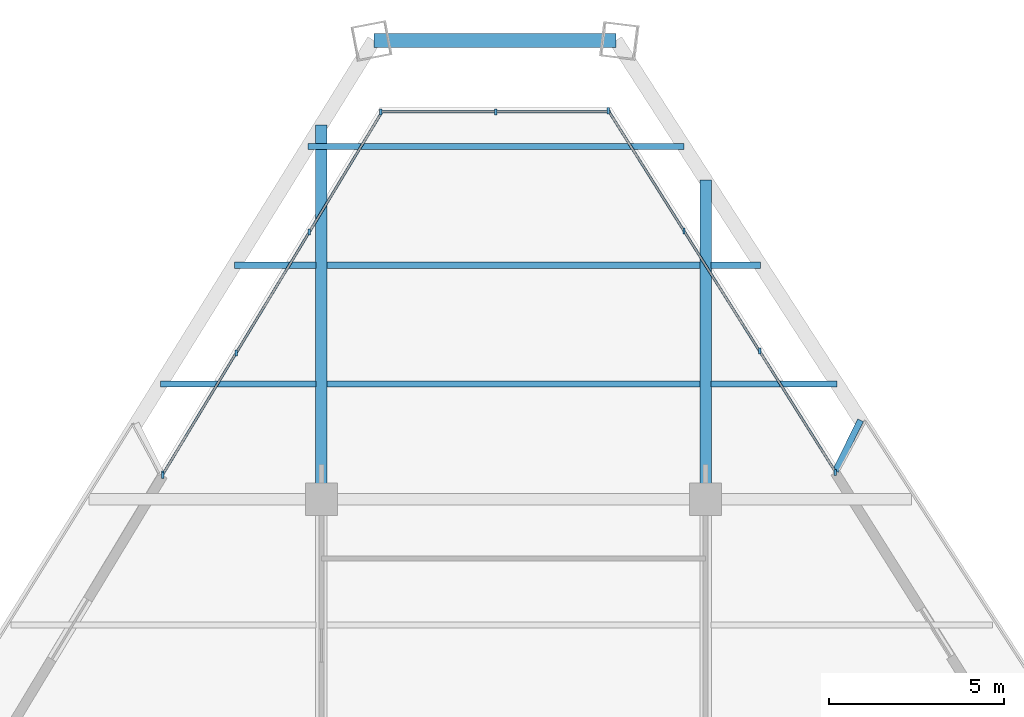
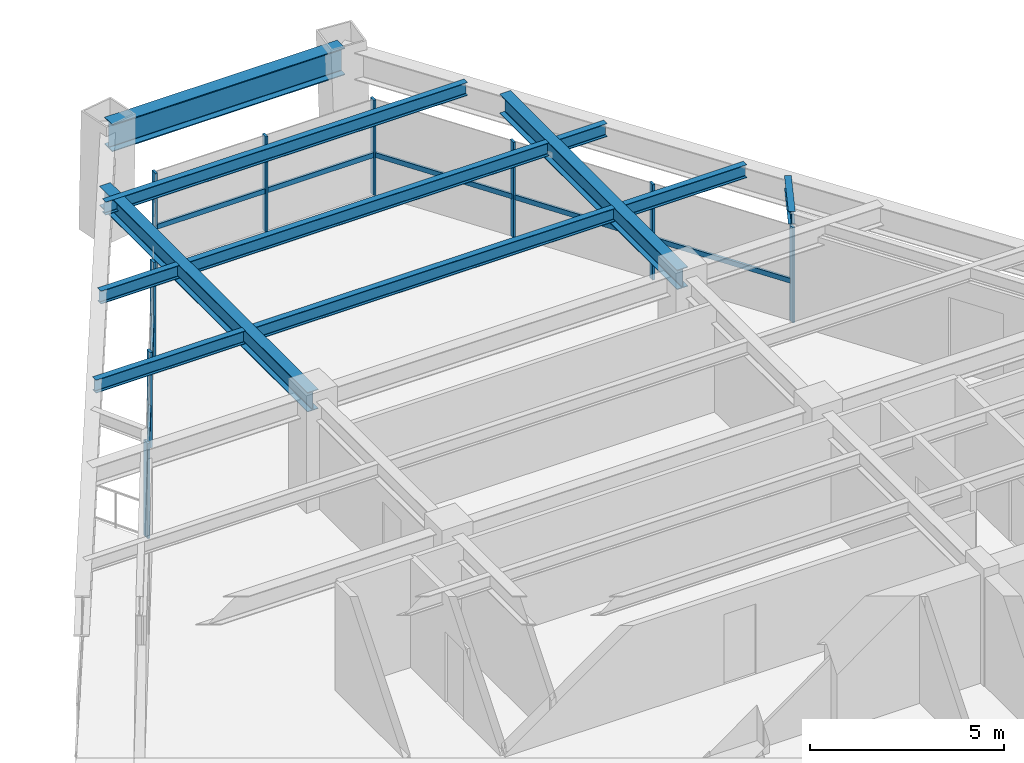
# One storey, part 6 of 12: 18 members, 11 beams, 3 elements without a shape of their own.
"""IFC4 building model written with IfcOpenShell, lengths in metres."""

from ifc_helpers import new_model, si_unit, direction, frame, origin, origin_2d, place, context, subcontext, project, spatial, rectangle, i_section, extrude, source, transform, mapped, material, material_profile, profile_set, type_object, element, aggregate, save


model = new_model("IFC4")

# Units and contexts
model_context = context("Model", 3, precision=1e-05, world=origin(), true_north=direction((0.0, 1.0)))
body_context = subcontext(model_context, "Body", "Model", "MODEL_VIEW")
ifc_project = project(units=[si_unit("LENGTHUNIT", "METRE"), si_unit("AREAUNIT", "SQUARE_METRE"), si_unit("VOLUMEUNIT", "CUBIC_METRE"), si_unit("PLANEANGLEUNIT", "RADIAN"), si_unit("MASSUNIT", "GRAM", prefix="KILO")], contexts=[model_context])

# Site, building, storey
site_placement = place(None, origin())
site = spatial("IfcSite", under=ifc_project, at=site_placement, CompositionType="ELEMENT")
building_placement = place(site_placement, origin())
building = spatial("IfcBuilding", under=site, at=building_placement, Name="Varnakhor Terracotta Tower", CompositionType="ELEMENT")
storey_placement = place(building_placement, frame((0.0, 0.0, 211.699951171875)))
storey = spatial("IfcBuildingStorey", under=building, at=storey_placement, Name="L54", CompositionType="ELEMENT", Elevation=211.699951171875)

# Beams
ifc_material_1 = material(Name="Steel S355", Category="steel")
ifc_material_profile_1 = material_profile(ifc_material_1, i_section(OverallWidth=0.179931640625, OverallDepth=0.4130859375, WebThickness=0.009765625, FlangeThickness=0.01611328125, FilletRadius=0.01806640625, at=origin_2d()), Name="W16X50")
ifc_profile_set_1 = profile_set([ifc_material_profile_1], Name="Steel S355")
beam_type_1 = type_object("IfcBeamType", Name="JST-W16X50", PredefinedType="JOIST", material=ifc_profile_set_1)
shared_shape_1 = source(origin(), body_context, "Body", "SweptSolid", [
    extrude(i_section(OverallWidth=0.179931640625, OverallDepth=0.4130859375, WebThickness=0.009765625, FlangeThickness=0.01611328125, FilletRadius=0.01806640625, at=origin_2d()), origin(), (0.0, 0.0, 1.0), 10.68310546875),
])
for number, where, z_axis, x_axis, name in (
    (1, (-5.341552734375, 34.800048828125, 3.213623046875), (1.0, 0.0, 0.0), (0.0, 1.0, 0.0), "L54 Composite Floor Joist 7-2"),
    (2, (-5.341552734375, 38.199951171875, 3.213623046875), (1.0, 0.0, 0.0), (0.0, 1.0, 0.0), "L54 Composite Floor Joist 8-2"),
):
    element("IfcBeam", number, at=place(storey_placement, frame(where, z_axis=z_axis, x_axis=x_axis)), inside=storey, type_object=beam_type_1, Name=name, PredefinedType="JOIST", context=body_context, shape_type="MappedRepresentation", body=[
        mapped(shared_shape_1, transform((0.0, 0.0, 0.0), scale=1.0)),
    ])
ifc_material_profile_2 = material_profile(ifc_material_1, i_section(OverallWidth=0.39990234375, OverallDepth=0.85498046875, WebThickness=0.01806640625, FlangeThickness=0.029052734375, FilletRadius=0.01806640625, at=origin_2d()), Name="W33X201")
ifc_profile_set_2 = profile_set([ifc_material_profile_2], Name="Steel S355")
beam_type_2 = type_object("IfcBeamType", Name="BM-W33X201", PredefinedType="BEAM", material=ifc_profile_set_2)
shared_shape_2 = source(origin(), body_context, "Body", "SweptSolid", [
    extrude(i_section(OverallWidth=0.39990234375, OverallDepth=0.85498046875, WebThickness=0.01806640625, FlangeThickness=0.029052734375, FilletRadius=0.01806640625, at=origin_2d()), origin(), (0.0, 0.0, 1.0), 6.927734375),
])
beam_1_placement = place(storey_placement, frame((2.92822265625, 44.6376953125, 2.992431640625), z_axis=(-1.0, 0.0, 0.0), x_axis=(0.0, -1.0, 0.0)))
element("IfcBeam", 3, at=beam_1_placement, inside=storey, type_object=beam_type_2, Name="L54 Perimeter Spandrel 5", PredefinedType="BEAM", context=body_context, shape_type="MappedRepresentation", body=[
    mapped(shared_shape_2, transform((0.0, 0.0, 0.0), scale=1.0)),
])
ifc_material_profile_3 = material_profile(ifc_material_1, i_section(OverallWidth=0.324951171875, OverallDepth=0.615966796875, WebThickness=0.013916015625, FlangeThickness=0.02197265625, FilletRadius=0.01806640625, at=origin_2d()), Name="W24X117")
ifc_profile_set_3 = profile_set([ifc_material_profile_3], Name="Steel S355")
beam_type_3 = type_object("IfcBeamType", Name="BM-W24X117", PredefinedType="BEAM", material=ifc_profile_set_3)
shared_shape_3 = source(origin(), body_context, "Body", "SweptSolid", [
    extrude(i_section(OverallWidth=0.324951171875, OverallDepth=0.615966796875, WebThickness=0.013916015625, FlangeThickness=0.02197265625, FilletRadius=0.01806640625, at=origin_2d()), origin(), (0.0, 0.0, 1.0), 10.719482421875),
])
beam_2_placement = place(storey_placement, frame((-5.5, 31.5, 3.112060546875), z_axis=(0.0, 1.0, 0.0), x_axis=(-1.0, 0.0, 0.0)))
element("IfcBeam", 4, at=beam_2_placement, inside=storey, type_object=beam_type_3, Name="L54 Primary Girder NS3-W", PredefinedType="BEAM", context=body_context, shape_type="MappedRepresentation", body=[
    mapped(shared_shape_3, transform((0.0, 0.0, 0.0), scale=1.0)),
])
shared_shape_4 = source(origin(), body_context, "Body", "SweptSolid", [
    extrude(i_section(OverallWidth=0.324951171875, OverallDepth=0.615966796875, WebThickness=0.013916015625, FlangeThickness=0.02197265625, FilletRadius=0.01806640625, at=origin_2d()), origin(), (0.0, 0.0, 1.0), 9.1474609375),
])
beam_3_placement = place(storey_placement, frame((5.5, 31.5, 3.112060546875), z_axis=(0.0, 1.0, 0.0), x_axis=(-1.0, 0.0, 0.0)))
element("IfcBeam", 5, at=beam_3_placement, inside=storey, type_object=beam_type_3, Name="L54 Primary Girder NS3-E", PredefinedType="BEAM", context=body_context, shape_type="MappedRepresentation", body=[
    mapped(shared_shape_4, transform((0.0, 0.0, 0.0), scale=1.0)),
])
shared_shape_5 = source(origin(), body_context, "Body", "SweptSolid", [
    extrude(i_section(OverallWidth=0.179931640625, OverallDepth=0.4130859375, WebThickness=0.009765625, FlangeThickness=0.01611328125, FilletRadius=0.01806640625, at=origin_2d()), origin(), (0.0, 0.0, 1.0), 4.445556640625),
])
beam_4_placement = place(storey_placement, frame((-10.10400390625, 34.800048828125, 3.213623046875), z_axis=(1.0, 0.0, 0.0), x_axis=(0.0, 1.0, 0.0)))
element("IfcBeam", 6, at=beam_4_placement, inside=storey, type_object=beam_type_1, Name="L54 Composite Floor Joist 7-1", PredefinedType="JOIST", context=body_context, shape_type="MappedRepresentation", body=[
    mapped(shared_shape_5, transform((0.0, 0.0, 0.0), scale=1.0)),
])
shared_shape_6 = source(origin(), body_context, "Body", "SweptSolid", [
    extrude(i_section(OverallWidth=0.179931640625, OverallDepth=0.4130859375, WebThickness=0.009765625, FlangeThickness=0.01611328125, FilletRadius=0.01806640625, at=origin_2d()), origin(), (0.0, 0.0, 1.0), 3.6103515625),
])
beam_5_placement = place(storey_placement, frame((5.658447265625, 34.800048828125, 3.213623046875), z_axis=(1.0, 0.0, 0.0), x_axis=(0.0, 1.0, 0.0)))
element("IfcBeam", 7, at=beam_5_placement, inside=storey, type_object=beam_type_1, Name="L54 Composite Floor Joist 7-3", PredefinedType="JOIST", context=body_context, shape_type="MappedRepresentation", body=[
    mapped(shared_shape_6, transform((0.0, 0.0, 0.0), scale=1.0)),
])
shared_shape_7 = source(origin(), body_context, "Body", "SweptSolid", [
    extrude(i_section(OverallWidth=0.179931640625, OverallDepth=0.4130859375, WebThickness=0.009765625, FlangeThickness=0.01611328125, FilletRadius=0.01806640625, at=origin_2d()), origin(), (0.0, 0.0, 1.0), 2.335693359375),
])
beam_6_placement = place(storey_placement, frame((-7.994140625, 38.199951171875, 3.213623046875), z_axis=(1.0, 0.0, 0.0), x_axis=(0.0, 1.0, 0.0)))
element("IfcBeam", 8, at=beam_6_placement, inside=storey, type_object=beam_type_1, Name="L54 Composite Floor Joist 8-1", PredefinedType="JOIST", context=body_context, shape_type="MappedRepresentation", body=[
    mapped(shared_shape_7, transform((0.0, 0.0, 0.0), scale=1.0)),
])
shared_shape_8 = source(origin(), body_context, "Body", "SweptSolid", [
    extrude(i_section(OverallWidth=0.179931640625, OverallDepth=0.4130859375, WebThickness=0.009765625, FlangeThickness=0.01611328125, FilletRadius=0.01806640625, at=origin_2d()), origin(), (0.0, 0.0, 1.0), 1.4189453125),
])
beam_7_placement = place(storey_placement, frame((5.658447265625, 38.199951171875, 3.213623046875), z_axis=(1.0, 0.0, 0.0), x_axis=(0.0, 1.0, 0.0)))
element("IfcBeam", 9, at=beam_7_placement, inside=storey, type_object=beam_type_1, Name="L54 Composite Floor Joist 8-3", PredefinedType="JOIST", context=body_context, shape_type="MappedRepresentation", body=[
    mapped(shared_shape_8, transform((0.0, 0.0, 0.0), scale=1.0)),
])
shared_shape_9 = source(origin(), body_context, "Body", "SweptSolid", [
    extrude(i_section(OverallWidth=0.179931640625, OverallDepth=0.4130859375, WebThickness=0.009765625, FlangeThickness=0.01611328125, FilletRadius=0.01806640625, at=origin_2d()), origin(), (0.0, 0.0, 1.0), 10.7705078125),
])
beam_8_placement = place(storey_placement, frame((-5.884521484375, 41.60009765625, 3.213623046875), z_axis=(1.0, 0.0, 0.0), x_axis=(0.0, 1.0, 0.0)))
element("IfcBeam", 10, at=beam_8_placement, inside=storey, type_object=beam_type_1, Name="L54 Composite Floor Joist 9-1", PredefinedType="JOIST", context=body_context, shape_type="MappedRepresentation", body=[
    mapped(shared_shape_9, transform((0.0, 0.0, 0.0), scale=1.0)),
])

# Curtain wall, members
ifc_material_2 = material(Name="Anodised Aluminium Curtain Wall System", Category="aluminium")
curtain_wall_type = type_object("IfcCurtainWallType", Name="CW-SYS-MID-OFFICE", PredefinedType="NOTDEFINED", material=ifc_material_2)
curtain_wall_1_placement = place(storey_placement, origin())
curtain_wall_1 = element("IfcCurtainWall", 11, at=curtain_wall_1_placement, inside=storey, type_object=curtain_wall_type, Name="L54 W Facet Curtain Wall 2", PredefinedType="NOTDEFINED")
ifc_material_3 = material(Name="Anodised Aluminium 6063-T6", Category="aluminium")
ifc_material_profile_4 = material_profile(ifc_material_3, rectangle(XDim=0.070068359375, YDim=0.175048828125, at=origin_2d()), Name="ALU MULLION 70x175")
ifc_profile_set_4 = profile_set([ifc_material_profile_4], Name="Anodised Aluminium 6063-T6")
member_type_1 = type_object("IfcMemberType", Name="CWM-03", PredefinedType="MULLION", material=ifc_profile_set_4)
shared_shape_10 = source(origin(), body_context, "Body", "SweptSolid", [
    extrude(rectangle(XDim=0.070068359375, YDim=0.175048828125, at=origin_2d()), origin(), (0.0, 0.0, 1.0), 3.0),
])
member_1_placement = place(storey_placement, frame((-10.0380859375, 32.21728515625, 0.0), z_axis=(0.0, 0.0, 1.0), x_axis=(1.0, 0.0, 0.0)))
member_1 = element("IfcMember", 12, at=member_1_placement, type_object=member_type_1, Name="L54 W Facet Curtain Wall 2 Mullion 1", PredefinedType="MULLION", context=body_context, shape_type="MappedRepresentation", body=[
    mapped(shared_shape_10, transform((0.0, 0.0, 0.0), scale=1.0)),
])
member_2_placement = place(storey_placement, frame((-7.940185546875, 35.686767578125, 0.0), z_axis=(0.0, 0.0, 1.0), x_axis=(1.0, 0.0, 0.0)))
member_2 = element("IfcMember", 13, at=member_2_placement, type_object=member_type_1, Name="L54 W Facet Curtain Wall 2 Mullion 2", PredefinedType="MULLION", context=body_context, shape_type="MappedRepresentation", body=[
    mapped(shared_shape_10, transform((0.0, 0.0, 0.0), scale=1.0)),
])
member_3_placement = place(storey_placement, frame((-5.842041015625, 39.15625, 0.0), z_axis=(0.0, 0.0, 1.0), x_axis=(1.0, 0.0, 0.0)))
member_3 = element("IfcMember", 14, at=member_3_placement, type_object=member_type_1, Name="L54 W Facet Curtain Wall 2 Mullion 3", PredefinedType="MULLION", context=body_context, shape_type="MappedRepresentation", body=[
    mapped(shared_shape_10, transform((0.0, 0.0, 0.0), scale=1.0)),
])
member_4_placement = place(storey_placement, frame((-10.03662109375, 32.18115234375, 0.0), z_axis=(0.0, 0.0, 1.0), x_axis=(1.0, 0.0, 0.0)))
member_4 = element("IfcMember", 15, at=member_4_placement, type_object=member_type_1, Name="L54 W Loggia Jamb Closure Mullion 2", PredefinedType="MULLION", context=body_context, shape_type="MappedRepresentation", body=[
    mapped(shared_shape_10, transform((0.0, 0.0, 0.0), scale=1.0)),
])

curtain_wall_2_placement = place(storey_placement, origin())
curtain_wall_2 = element("IfcCurtainWall", 16, at=curtain_wall_2_placement, inside=storey, type_object=curtain_wall_type, Name="L54 Facet Curtain Wall 2", PredefinedType="NOTDEFINED")
member_5_placement = place(storey_placement, frame((-3.801025390625, 42.593505859375, 0.0), z_axis=(0.0, 0.0, 1.0), x_axis=(1.0, 0.0, 0.0)))
member_5 = element("IfcMember", 17, at=member_5_placement, type_object=member_type_1, Name="L54 Facet Curtain Wall 2 Mullion 1", PredefinedType="MULLION", context=body_context, shape_type="MappedRepresentation", body=[
    mapped(shared_shape_10, transform((0.0, 0.0, 0.0), scale=1.0)),
])
member_6_placement = place(storey_placement, frame((-0.513427734375, 42.593505859375, 0.0), z_axis=(0.0, 0.0, 1.0), x_axis=(1.0, 0.0, 0.0)))
member_6 = element("IfcMember", 18, at=member_6_placement, type_object=member_type_1, Name="L54 Facet Curtain Wall 2 Mullion 2", PredefinedType="MULLION", context=body_context, shape_type="MappedRepresentation", body=[
    mapped(shared_shape_10, transform((0.0, 0.0, 0.0), scale=1.0)),
])

curtain_wall_3_placement = place(storey_placement, origin())
curtain_wall_3 = element("IfcCurtainWall", 19, at=curtain_wall_3_placement, inside=storey, type_object=curtain_wall_type, Name="L54 E Facet Curtain Wall 1", PredefinedType="NOTDEFINED")
member_7_placement = place(storey_placement, frame((2.718505859375, 42.6240234375, 0.0), z_axis=(0.0, 0.0, 1.0), x_axis=(1.0, 0.0, 0.0)))
member_7 = element("IfcMember", 20, at=member_7_placement, type_object=member_type_1, Name="L54 E Facet Curtain Wall 1 Mullion 1", PredefinedType="MULLION", context=body_context, shape_type="MappedRepresentation", body=[
    mapped(shared_shape_10, transform((0.0, 0.0, 0.0), scale=1.0)),
])
member_8_placement = place(storey_placement, frame((4.882080078125, 39.18310546875, 0.0), z_axis=(0.0, 0.0, 1.0), x_axis=(1.0, 0.0, 0.0)))
member_8 = element("IfcMember", 21, at=member_8_placement, type_object=member_type_1, Name="L54 E Facet Curtain Wall 1 Mullion 2", PredefinedType="MULLION", context=body_context, shape_type="MappedRepresentation", body=[
    mapped(shared_shape_10, transform((0.0, 0.0, 0.0), scale=1.0)),
])
member_9_placement = place(storey_placement, frame((7.045654296875, 35.741943359375, 0.0), z_axis=(0.0, 0.0, 1.0), x_axis=(1.0, 0.0, 0.0)))
member_9 = element("IfcMember", 22, at=member_9_placement, type_object=member_type_1, Name="L54 E Facet Curtain Wall 1 Mullion 3", PredefinedType="MULLION", context=body_context, shape_type="MappedRepresentation", body=[
    mapped(shared_shape_10, transform((0.0, 0.0, 0.0), scale=1.0)),
])
member_10_placement = place(storey_placement, frame((9.20849609375, 32.264892578125, 0.0), z_axis=(0.0, 0.0, 1.0), x_axis=(1.0, 0.0, 0.0)))
member_10 = element("IfcMember", 23, at=member_10_placement, type_object=member_type_1, Name="L54 E Loggia Jamb Closure Mullion 1", PredefinedType="MULLION", context=body_context, shape_type="MappedRepresentation", body=[
    mapped(shared_shape_10, transform((0.0, 0.0, 0.0), scale=1.0)),
])

# Member
ifc_material_profile_5 = material_profile(ifc_material_3, rectangle(XDim=0.070068359375, YDim=0.155029296875, at=origin_2d()), Name="ALU TRANSOM 70x155")
ifc_profile_set_5 = profile_set([ifc_material_profile_5], Name="Anodised Aluminium 6063-T6")
member_type_2 = type_object("IfcMemberType", Name="CWT-03", PredefinedType="USERDEFINED", material=ifc_profile_set_5)
shared_shape_11 = source(origin(), body_context, "Body", "SweptSolid", [
    extrude(rectangle(XDim=0.070068359375, YDim=0.155029296875, at=origin_2d()), origin(), (0.0, 0.0, 1.0), 4.054443359375),
])
member_11_placement = place(storey_placement, frame((-10.0380859375, 32.21728515625, 1.260009765625), z_axis=(0.517432669746, 0.855723922933, 0.0), x_axis=(-0.855723922933, 0.517432669746, 0.0)))
member_11 = element("IfcMember", 24, at=member_11_placement, type_object=member_type_2, Name="L54 W Facet Curtain Wall 2 Transom 1", ObjectType="TRANSOM", PredefinedType="USERDEFINED", context=body_context, shape_type="MappedRepresentation", body=[
    mapped(shared_shape_11, transform((0.0, 0.0, 0.0), scale=1.0)),
])

member_12_placement = place(storey_placement, frame((-5.842041015625, 39.15625, 1.260009765625), z_axis=(0.517503425337, 0.855681134982, 0.0), x_axis=(-0.855681134982, 0.517503425337, 0.0)))
member_12 = element("IfcMember", 25, at=member_12_placement, type_object=member_type_2, Name="L54 W Facet Curtain Wall 2 Transom 3", ObjectType="TRANSOM", PredefinedType="USERDEFINED", context=body_context, shape_type="MappedRepresentation", body=[
    mapped(shared_shape_11, transform((0.0, 0.0, 0.0), scale=1.0)),
])

shared_shape_12 = source(origin(), body_context, "Body", "SweptSolid", [
    extrude(rectangle(XDim=0.070068359375, YDim=0.155029296875, at=origin_2d()), origin(), (0.0, 0.0, 1.0), 4.0546875),
])
member_13_placement = place(storey_placement, frame((-7.940185546875, 35.686767578125, 1.260009765625), z_axis=(0.517476761369, 0.855697260392, 0.0), x_axis=(-0.855697260392, 0.517476761369, 0.0)))
member_13 = element("IfcMember", 26, at=member_13_placement, type_object=member_type_2, Name="L54 W Facet Curtain Wall 2 Transom 2", ObjectType="TRANSOM", PredefinedType="USERDEFINED", context=body_context, shape_type="MappedRepresentation", body=[
    mapped(shared_shape_12, transform((0.0, 0.0, 0.0), scale=1.0)),
])

aggregate(curtain_wall_1, [member_1, member_11, member_2, member_13, member_3, member_12, member_4])

shared_shape_13 = source(origin(), body_context, "Body", "SweptSolid", [
    extrude(rectangle(XDim=0.070068359375, YDim=0.155029296875, at=origin_2d()), origin(), (0.0, 0.0, 1.0), 3.28759765625),
])
member_14_placement = place(storey_placement, frame((-3.801025390625, 42.593505859375, 1.260009765625), z_axis=(1.0, 0.0, 0.0), x_axis=(0.0, 1.0, 0.0)))
member_14 = element("IfcMember", 27, at=member_14_placement, type_object=member_type_2, Name="L54 Facet Curtain Wall 2 Transom 1", ObjectType="TRANSOM", PredefinedType="USERDEFINED", context=body_context, shape_type="MappedRepresentation", body=[
    mapped(shared_shape_13, transform((0.0, 0.0, 0.0), scale=1.0)),
])

shared_shape_14 = source(origin(), body_context, "Body", "SweptSolid", [
    extrude(rectangle(XDim=0.070068359375, YDim=0.155029296875, at=origin_2d()), origin(), (0.0, 0.0, 1.0), 3.287353515625),
])
member_15_placement = place(storey_placement, frame((-0.513427734375, 42.593505859375, 1.260009765625), z_axis=(1.0, 0.0, 0.0), x_axis=(0.0, 1.0, 0.0)))
member_15 = element("IfcMember", 28, at=member_15_placement, type_object=member_type_2, Name="L54 Facet Curtain Wall 2 Transom 2", ObjectType="TRANSOM", PredefinedType="USERDEFINED", context=body_context, shape_type="MappedRepresentation", body=[
    mapped(shared_shape_14, transform((0.0, 0.0, 0.0), scale=1.0)),
])

aggregate(curtain_wall_2, [member_5, member_14, member_6, member_15])

shared_shape_15 = source(origin(), body_context, "Body", "SweptSolid", [
    extrude(rectangle(XDim=0.070068359375, YDim=0.155029296875, at=origin_2d()), origin(), (0.0, 0.0, 1.0), 4.064697265625),
])
member_16_placement = place(storey_placement, frame((2.718505859375, 42.6240234375, 1.260009765625), z_axis=(0.532297011841, -0.846557671506, 0.0), x_axis=(0.846557671506, 0.532297011841, 0.0)))
member_16 = element("IfcMember", 29, at=member_16_placement, type_object=member_type_2, Name="L54 E Facet Curtain Wall 1 Transom 1", ObjectType="TRANSOM", PredefinedType="USERDEFINED", context=body_context, shape_type="MappedRepresentation", body=[
    mapped(shared_shape_15, transform((0.0, 0.0, 0.0), scale=1.0)),
])

member_17_placement = place(storey_placement, frame((4.882080078125, 39.18310546875, 1.260009765625), z_axis=(0.532269946398, -0.846574689063, 0.0), x_axis=(0.846574689063, 0.532269946398, 0.0)))
member_17 = element("IfcMember", 30, at=member_17_placement, type_object=member_type_2, Name="L54 E Facet Curtain Wall 1 Transom 2", ObjectType="TRANSOM", PredefinedType="USERDEFINED", context=body_context, shape_type="MappedRepresentation", body=[
    mapped(shared_shape_15, transform((0.0, 0.0, 0.0), scale=1.0)),
])

shared_shape_16 = source(origin(), body_context, "Body", "SweptSolid", [
    extrude(rectangle(XDim=0.070068359375, YDim=0.155029296875, at=origin_2d()), origin(), (0.0, 0.0, 1.0), 4.06494140625),
])
member_18_placement = place(storey_placement, frame((7.045654296875, 35.741943359375, 1.260009765625), z_axis=(0.532312990131, -0.846547624495, 0.0), x_axis=(0.846547624495, 0.532312990131, 0.0)))
member_18 = element("IfcMember", 31, at=member_18_placement, type_object=member_type_2, Name="L54 E Facet Curtain Wall 1 Transom 3", ObjectType="TRANSOM", PredefinedType="USERDEFINED", context=body_context, shape_type="MappedRepresentation", body=[
    mapped(shared_shape_16, transform((0.0, 0.0, 0.0), scale=1.0)),
])

aggregate(curtain_wall_3, [member_7, member_16, member_8, member_17, member_9, member_18, member_10])

# Beam
ifc_material_profile_6 = material_profile(ifc_material_1, i_section(OverallWidth=0.179931640625, OverallDepth=0.39990234375, WebThickness=0.008544921875, FlangeThickness=0.013427734375, FilletRadius=0.01806640625, at=origin_2d()), Name="IPE400")
ifc_profile_set_6 = profile_set([ifc_material_profile_6], Name="Steel S355")
beam_type_4 = type_object("IfcBeamType", Name="JST-IPE400", PredefinedType="JOIST", material=ifc_profile_set_6)
shared_shape_17 = source(origin(), body_context, "Body", "SweptSolid", [
    extrude(i_section(OverallWidth=0.179931640625, OverallDepth=0.39990234375, WebThickness=0.008544921875, FlangeThickness=0.013427734375, FilletRadius=0.01806640625, at=origin_2d()), origin(), (0.0, 0.0, 1.0), 1.61669921875),
])
beam_9_placement = place(storey_placement, frame((9.220703125, 32.31201171875, 3.219970703125), z_axis=(0.444130270409, 0.895962221808, 0.0), x_axis=(-0.895962221808, 0.444130270409, 0.0)))
element("IfcBeam", 32, at=beam_9_placement, inside=storey, type_object=beam_type_4, Name="L55 E Loggia Tie Beam 1", PredefinedType="JOIST", context=body_context, shape_type="MappedRepresentation", body=[
    mapped(shared_shape_17, transform((0.0, 0.0, 0.0), scale=1.0)),
])

save(model, "model.ifc")
